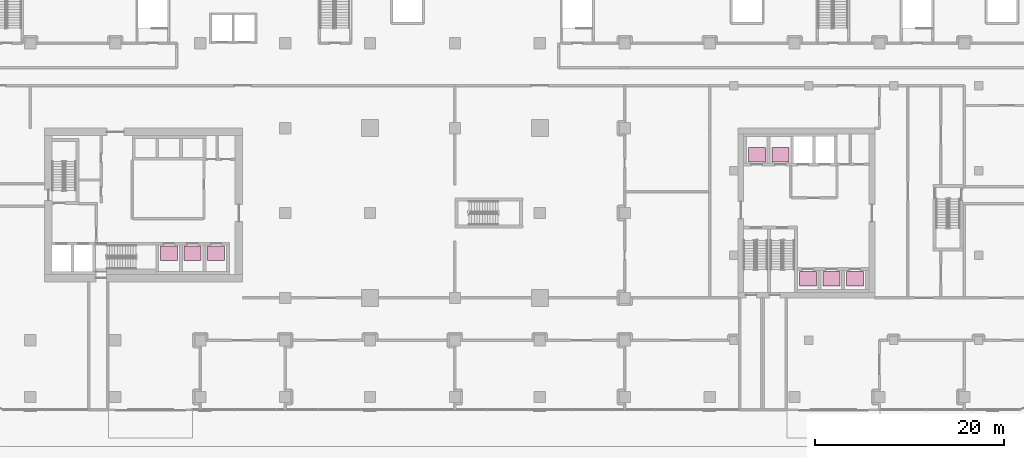
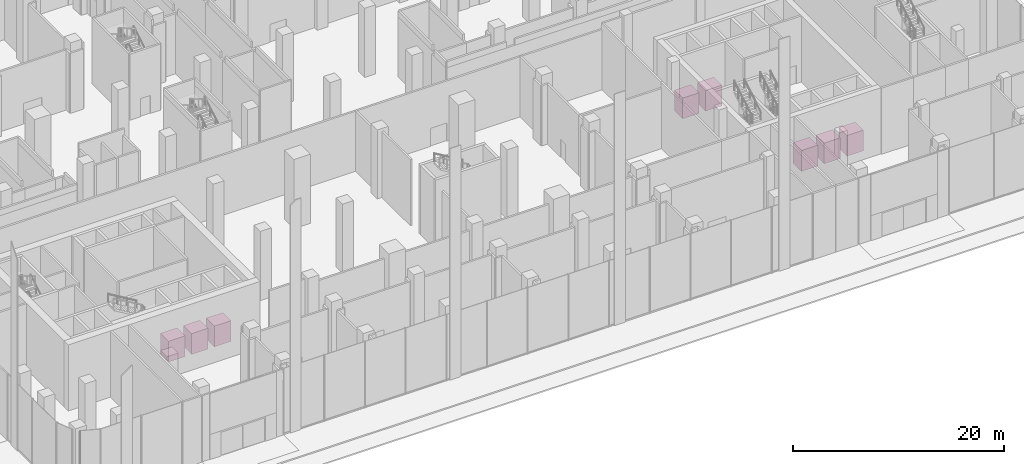
# One storey, part 42 of 42: 8 transport elements.
"""IFC4 building model written with IfcOpenShell, lengths in metres."""

from ifc_helpers import new_model, si_unit, direction, frame, origin, origin_2d, place, context, subcontext, project, spatial, rectangle, extrude, material, type_object, element, save


model = new_model("IFC4")

# Units and contexts
model_context = context("Model", 3, precision=1e-05, world=origin(), true_north=direction((0.0, 1.0)))
body_context = subcontext(model_context, "Body", "Model", "MODEL_VIEW")
ifc_project = project(units=[si_unit("LENGTHUNIT", "METRE"), si_unit("AREAUNIT", "SQUARE_METRE"), si_unit("VOLUMEUNIT", "CUBIC_METRE"), si_unit("PLANEANGLEUNIT", "RADIAN"), si_unit("MASSUNIT", "GRAM", prefix="KILO")], contexts=[model_context])

# Site, building, storey
site_placement = place(None, origin())
site = spatial("IfcSite", under=ifc_project, at=site_placement, CompositionType="ELEMENT")
building_placement = place(site_placement, origin())
building = spatial("IfcBuilding", under=site, at=building_placement, Name="Plateau Cross Towers", CompositionType="ELEMENT")
storey_placement = place(building_placement, origin())
storey = spatial("IfcBuildingStorey", under=building, at=storey_placement, Name="L00", CompositionType="ELEMENT", Elevation=0.0)

# Transport elements
ifc_material = material(Name="Stainless steel car", Category="steel")
transport_element_type = type_object("IfcTransportElementType", Name="Passenger lift 1150 kg", PredefinedType="ELEVATOR", material=ifc_material)
for number, where, z_axis, x_axis, name in (
    (1, (14.699951171875, 4.72509765625, 0.0), (0.0, 0.0, 1.0), (1.0, 0.0, 0.0), "Lift LL1"),
    (2, (17.199951171875, 4.72509765625, 0.0), (0.0, 0.0, 1.0), (1.0, 0.0, 0.0), "Lift LL2"),
    (3, (19.699951171875, 4.72509765625, 0.0), (0.0, 0.0, 1.0), (1.0, 0.0, 0.0), "Lift LL3"),
    (4, (82.39990234375, 2.02490234375, 0.0), (0.0, 0.0, 1.0), (1.0, 0.0, 0.0), "Lift BL1"),
    (5, (84.89990234375, 2.02490234375, 0.0), (0.0, 0.0, 1.0), (1.0, 0.0, 0.0), "Lift BL2"),
    (6, (87.39990234375, 2.02490234375, 0.0), (0.0, 0.0, 1.0), (1.0, 0.0, 0.0), "Lift BL3"),
    (7, (77.0, 15.175048828125, 0.0), (0.0, 0.0, 1.0), (1.0, 0.0, 0.0), "Lift BL4"),
    (8, (79.5, 15.175048828125, 0.0), (0.0, 0.0, 1.0), (1.0, 0.0, 0.0), "Lift BL5"),
):
    element("IfcTransportElement", number, at=place(storey_placement, frame(where, z_axis=z_axis, x_axis=x_axis)), inside=storey, type_object=transport_element_type, Name=name, PredefinedType="ELEVATOR", context=body_context, shape_type="SweptSolid", body=[
        extrude(rectangle(XDim=1.800048828125, YDim=1.550048828125, at=origin_2d()), origin(), (0.0, 0.0, 1.0), 2.39990234375),
    ])

save(model, "model.ifc")
